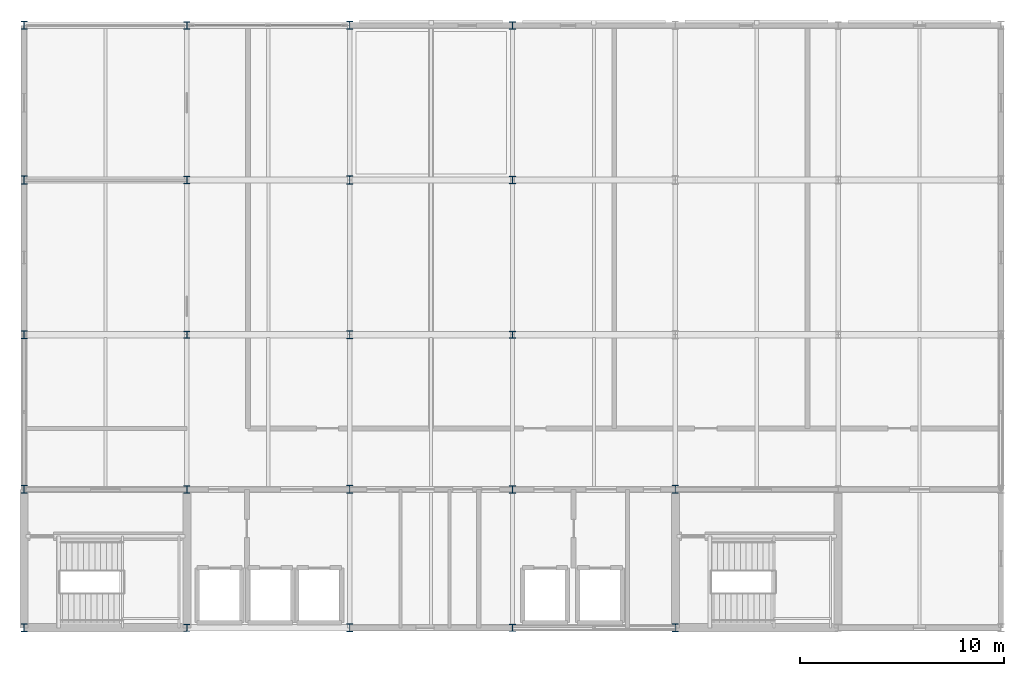
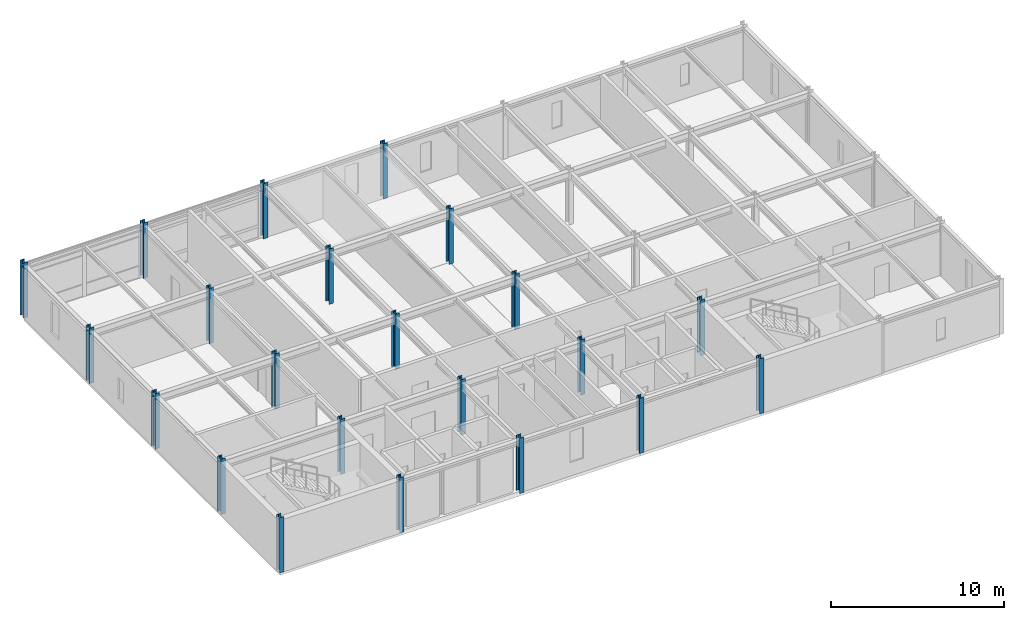
# One storey, part 1 of 9: 22 columns.
"""IFC4 building model written with IfcOpenShell, lengths in metres."""

from ifc_helpers import new_model, si_unit, direction, frame, origin, origin_2d, place, context, subcontext, project, spatial, i_section, extrude, material, material_profile, profile_set, type_object, element, save


model = new_model("IFC4")

# Units and contexts
model_context = context("Model", 3, precision=1e-05, world=origin(), true_north=direction((0.0, 1.0)))
body_context = subcontext(model_context, "Body", "Model", "MODEL_VIEW")
ifc_project = project(units=[si_unit("LENGTHUNIT", "METRE"), si_unit("AREAUNIT", "SQUARE_METRE"), si_unit("VOLUMEUNIT", "CUBIC_METRE"), si_unit("PLANEANGLEUNIT", "RADIAN"), si_unit("MASSUNIT", "GRAM", prefix="KILO")], contexts=[model_context])

# Site, building, storey
site_placement = place(None, origin())
site = spatial("IfcSite", under=ifc_project, at=site_placement, CompositionType="ELEMENT")
building_placement = place(site_placement, origin())
building = spatial("IfcBuilding", under=site, at=building_placement, Name="Shalkamar Park Central Library", CompositionType="ELEMENT")
storey_placement = place(building_placement, frame((0.0, 0.0, 63.89990234375)))
storey = spatial("IfcBuildingStorey", under=building, at=storey_placement, Name="L16", CompositionType="ELEMENT", Elevation=63.89990234375)

# Columns
ifc_material = material(Name="Steel S355", Category="steel")
ifc_material_profile_1 = material_profile(ifc_material, i_section(OverallWidth=0.300048828125, OverallDepth=0.360107421875, WebThickness=0.012451171875, FlangeThickness=0.0224609375, FilletRadius=0.027099609375, at=origin_2d()), Name="HEB 360")
ifc_profile_set_1 = profile_set([ifc_material_profile_1], Name="Steel S355")
column_type_1 = type_object("IfcColumnType", Name="Column Steel HEB360", PredefinedType="COLUMN", material=ifc_profile_set_1)
for number, where, z_axis, x_axis, name in (
    (1, (173.0, 248.39990234375, 0.0), (0.0, 0.0, 1.0), (1.0, 0.0, 0.0), "Column 08/B (L16)"),
    (2, (173.0, 255.199951171875, 0.0), (0.0, 0.0, 1.0), (1.0, 0.0, 0.0), "Column 08/C (L16)"),
    (3, (173.0, 262.800048828125, 0.0), (0.0, 0.0, 1.0), (1.0, 0.0, 0.0), "Column 08/D (L16)"),
    (4, (173.0, 270.39990234375, 0.0), (0.0, 0.0, 1.0), (1.0, 0.0, 0.0), "Column 08/E (L16)"),
    (5, (173.0, 278.0, 0.0), (0.0, 0.0, 1.0), (1.0, 0.0, 0.0), "Column 08/F (L16)"),
    (6, (189.0, 248.39990234375, 0.0), (0.0, 0.0, 1.0), (1.0, 0.0, 0.0), "Column 10/B (L16)"),
    (7, (189.0, 255.199951171875, 0.0), (0.0, 0.0, 1.0), (1.0, 0.0, 0.0), "Column 10/C (L16)"),
    (8, (189.0, 262.800048828125, 0.0), (0.0, 0.0, 1.0), (1.0, 0.0, 0.0), "Column 10/D (L16)"),
    (9, (189.0, 270.39990234375, 0.0), (0.0, 0.0, 1.0), (1.0, 0.0, 0.0), "Column 10/E (L16)"),
    (10, (189.0, 278.0, 0.0), (0.0, 0.0, 1.0), (1.0, 0.0, 0.0), "Column 10/F (L16)"),
):
    element("IfcColumn", number, at=place(storey_placement, frame(where, z_axis=z_axis, x_axis=x_axis)), inside=storey, type_object=column_type_1, Name=name, PredefinedType="COLUMN", context=body_context, shape_type="SweptSolid", body=[
        extrude(i_section(OverallWidth=0.300048828125, OverallDepth=0.360107421875, WebThickness=0.012451171875, FlangeThickness=0.0224609375, FilletRadius=0.027099609375, at=origin_2d()), origin(), (0.0, 0.0, 1.0), 3.900146484375),
    ])
ifc_material_profile_2 = material_profile(ifc_material, i_section(OverallWidth=0.300048828125, OverallDepth=0.39990234375, WebThickness=0.013427734375, FlangeThickness=0.02392578125, FilletRadius=0.027099609375, at=origin_2d()), Name="HEB 400")
ifc_profile_set_2 = profile_set([ifc_material_profile_2], Name="Steel S355")
column_type_2 = type_object("IfcColumnType", Name="Column Steel HEB400", PredefinedType="COLUMN", material=ifc_profile_set_2)
for number, where, z_axis, x_axis, name in (
    (11, (165.0, 248.39990234375, 0.0), (0.0, 0.0, 1.0), (1.0, 0.0, 0.0), "Column 07/B (L16)"),
    (12, (165.0, 255.199951171875, 0.0), (0.0, 0.0, 1.0), (1.0, 0.0, 0.0), "Column 07/C (L16)"),
    (13, (165.0, 262.800048828125, 0.0), (0.0, 0.0, 1.0), (1.0, 0.0, 0.0), "Column 07/D (L16)"),
    (14, (165.0, 270.39990234375, 0.0), (0.0, 0.0, 1.0), (1.0, 0.0, 0.0), "Column 07/E (L16)"),
    (15, (165.0, 278.0, 0.0), (0.0, 0.0, 1.0), (1.0, 0.0, 0.0), "Column 07/F (L16)"),
    (16, (181.0, 248.39990234375, 0.0), (0.0, 0.0, 1.0), (1.0, 0.0, 0.0), "Column 09/B (L16)"),
    (17, (181.0, 255.199951171875, 0.0), (0.0, 0.0, 1.0), (1.0, 0.0, 0.0), "Column 09/C (L16)"),
    (18, (181.0, 262.800048828125, 0.0), (0.0, 0.0, 1.0), (1.0, 0.0, 0.0), "Column 09/D (L16)"),
    (19, (181.0, 270.39990234375, 0.0), (0.0, 0.0, 1.0), (1.0, 0.0, 0.0), "Column 09/E (L16)"),
    (20, (181.0, 278.0, 0.0), (0.0, 0.0, 1.0), (1.0, 0.0, 0.0), "Column 09/F (L16)"),
    (21, (197.0, 248.39990234375, 0.0), (0.0, 0.0, 1.0), (1.0, 0.0, 0.0), "Column 11/B (L16)"),
    (22, (197.0, 255.199951171875, 0.0), (0.0, 0.0, 1.0), (1.0, 0.0, 0.0), "Column 11/C (L16)"),
):
    element("IfcColumn", number, at=place(storey_placement, frame(where, z_axis=z_axis, x_axis=x_axis)), inside=storey, type_object=column_type_2, Name=name, PredefinedType="COLUMN", context=body_context, shape_type="SweptSolid", body=[
        extrude(i_section(OverallWidth=0.300048828125, OverallDepth=0.39990234375, WebThickness=0.013427734375, FlangeThickness=0.02392578125, FilletRadius=0.027099609375, at=origin_2d()), origin(), (0.0, 0.0, 1.0), 3.900146484375),
    ])

save(model, "model.ifc")
